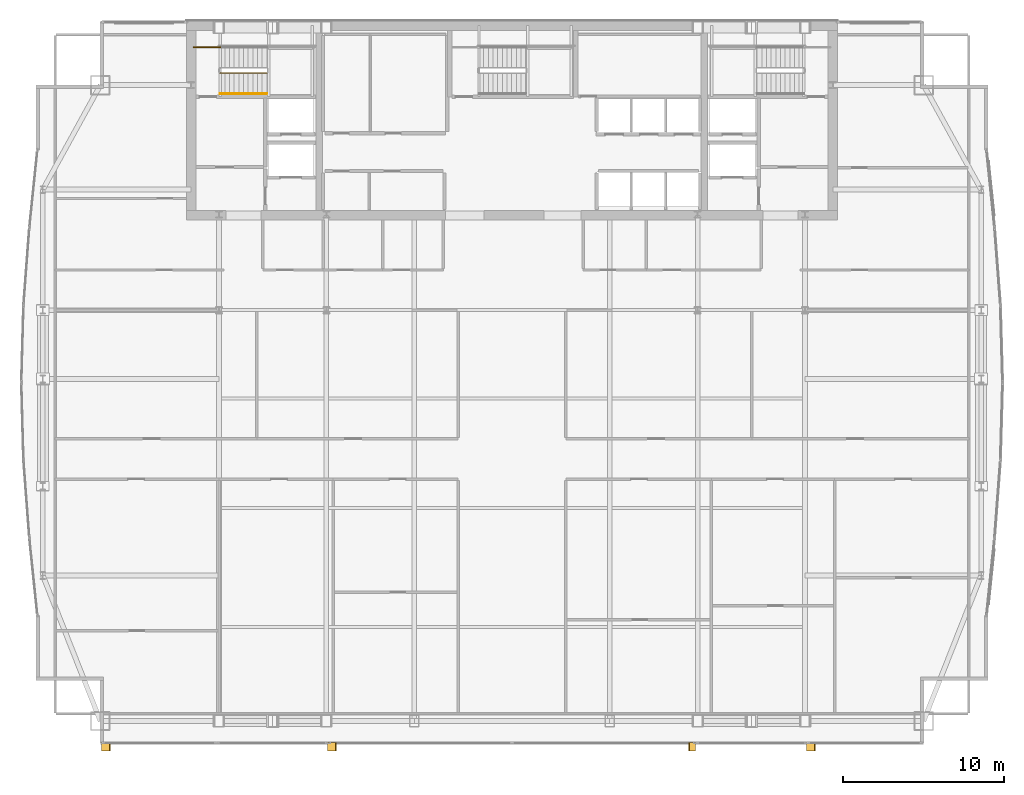
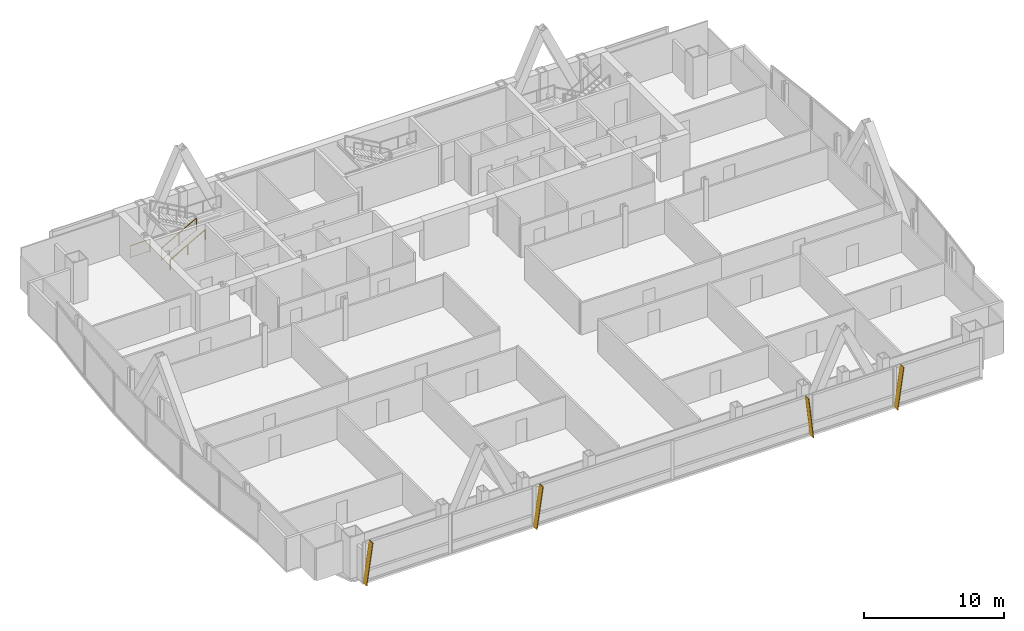
# One storey, part 31 of 32: 4 shading devices, 3 railings.
"""IFC4 building model written with IfcOpenShell, lengths in metres."""

import ifcopenshell
import ifcopenshell.guid

model = None  # the IFC model being written
_history = None  # IfcOwnerHistory: only IFC2X3 demands one
_inside = {}  # id of a spatial element -> (the spatial element, [elements in it])
_under = {}  # id of a project, library or spatial element -> (it, [spatial elements below it])
_declared = {}  # id of a project -> (the project, [libraries it declares])
_typed = {}  # id of a type object -> (the type object, [elements of that type])
_made_of = {}  # id of a material, layer set ... -> (it, [elements and type objects made of it])


def new_model(schema):
    """Start an empty IFC model of exactly this schema.

    Asked for "IFC4X3", IfcOpenShell would pick the latest addendum, in which some entities
    have other attributes; the version numbers below select the first issue.
    IFC2X3 requires an IfcOwnerHistory on every rooted entity: one is made here for all.
    """
    global model, _history
    if schema == "IFC4X3":
        model = ifcopenshell.file(schema_version=(4, 3, 0, 0))
    else:
        model = ifcopenshell.file(schema=schema)
    _inside.clear()
    _under.clear()
    _declared.clear()
    _typed.clear()
    _made_of.clear()
    _history = None
    if model.schema == "IFC2X3":
        org = make("IfcOrganization", Name="unknown")
        user = make(
            "IfcPersonAndOrganization",
            ThePerson=make("IfcPerson", FamilyName="unknown"),
            TheOrganization=org,
        )
        app = make(
            "IfcApplication",
            ApplicationDeveloper=org,
            Version="unknown",
            ApplicationFullName="unknown",
            ApplicationIdentifier="unknown",
        )
        _history = make(
            "IfcOwnerHistory",
            OwningUser=user,
            OwningApplication=app,
            ChangeAction="ADDED",
            CreationDate=0,
        )
    return model


def make(cls, **values):
    """One entity of the class cls with the attributes given. An attribute that is None is left unset."""
    return model.create_entity(
        cls, **{name: value for name, value in values.items() if value is not None}
    )


def rooted(cls, **values):
    """An entity with a GlobalId (a new one), such as an element, a storey or a relation."""
    return make(cls, GlobalId=ifcopenshell.guid.new(), OwnerHistory=_history, **values)


def si_unit(unit_type, name, prefix=None):
    """IfcSIUnit, for example si_unit("LENGTHUNIT", "METRE", prefix="MILLI")."""
    return make("IfcSIUnit", UnitType=unit_type, Prefix=prefix, Name=name)


def assignment(units):
    """IfcUnitAssignment: the units of a project."""
    return None if units is None else make("IfcUnitAssignment", Units=units)


def point(xyz):
    """IfcCartesianPoint."""
    return None if xyz is None else make("IfcCartesianPoint", Coordinates=xyz)


def direction(xyz):
    """IfcDirection."""
    return None if xyz is None else make("IfcDirection", DirectionRatios=xyz)


def frame(location, z_axis=None, x_axis=None):
    """IfcAxis2Placement3D, a coordinate frame: its origin and axes. An axis left out is left unset."""
    return make(
        "IfcAxis2Placement3D",
        Location=point(location),
        Axis=direction(z_axis),
        RefDirection=direction(x_axis),
    )


def frame_2d(location, x_axis=None):
    """IfcAxis2Placement2D, a coordinate frame in the plane: its origin and x axis."""
    return make(
        "IfcAxis2Placement2D", Location=point(location), RefDirection=direction(x_axis)
    )


def origin():
    """The frame at (0, 0, 0) with its axes left unset."""
    return frame((0.0, 0.0, 0.0))


def origin_2d():
    """The frame at (0, 0) in the plane with its x axis left unset."""
    return frame_2d((0.0, 0.0))


def place(relative_to, where):
    """IfcLocalPlacement: puts the frame where relative to a parent placement (None: the world)."""
    return make(
        "IfcLocalPlacement", PlacementRelTo=relative_to, RelativePlacement=where
    )


def context(
    kind, dimensions, precision=None, world=None, true_north=None, identifier=None
):
    """IfcGeometricRepresentationContext, for example the 3D "Model" context."""
    return make(
        "IfcGeometricRepresentationContext",
        ContextIdentifier=identifier,
        ContextType=kind,
        CoordinateSpaceDimension=dimensions,
        Precision=precision,
        WorldCoordinateSystem=world,
        TrueNorth=true_north,
    )


def subcontext(parent, identifier, kind, view, scale=None):
    """IfcGeometricRepresentationSubContext, for example "Body" below "Model"."""
    return make(
        "IfcGeometricRepresentationSubContext",
        ContextIdentifier=identifier,
        ContextType=kind,
        ParentContext=parent,
        TargetScale=scale,
        TargetView=view,
    )


def project(units=None, contexts=None):
    """IfcProject with its units and contexts."""
    return rooted(
        "IfcProject",
        Name="project",
        RepresentationContexts=contexts,
        UnitsInContext=assignment(units),
    )


def spatial(cls, under=None, at=None, **own):
    """A site, building, storey or space (cls), placed at a placement, below another one or the project."""
    s = rooted(cls, ObjectPlacement=at, **own)
    if under is not None:
        _under.setdefault(under.id(), (under, []))[1].append(s)
    return s


def polyline(points):
    """IfcPolyline through the points."""
    return make("IfcPolyline", Points=[point(p) for p in points])


def profile(cls, at=None, kind="AREA", **sizes):
    """A parametric profile (cls). Its sizes go by their IFC names, for example OverallWidth=200.0."""
    return make(cls, ProfileType=kind, Position=at, **sizes)


def rectangle(**sizes):
    """IfcRectangleProfileDef."""
    return profile("IfcRectangleProfileDef", **sizes)


def outline(outer, holes=None, kind="AREA"):
    """IfcArbitraryClosedProfileDef: a profile drawn as a closed curve; with holes, ...WithVoids."""
    if holes is None:
        return make("IfcArbitraryClosedProfileDef", ProfileType=kind, OuterCurve=outer)
    return make(
        "IfcArbitraryProfileDefWithVoids",
        ProfileType=kind,
        OuterCurve=outer,
        InnerCurves=holes,
    )


def extrude(swept, where, along, depth):
    """IfcExtrudedAreaSolid: the profile swept, set in the frame where, extruded along a direction by depth."""
    return make(
        "IfcExtrudedAreaSolid",
        SweptArea=swept,
        Position=where,
        ExtrudedDirection=direction(along),
        Depth=depth,
    )


def shape(context_of_items, identifier, shape_type, items):
    """IfcShapeRepresentation: the items that make up one representation, for example the "Body"."""
    return make(
        "IfcShapeRepresentation",
        ContextOfItems=context_of_items,
        RepresentationIdentifier=identifier,
        RepresentationType=shape_type,
        Items=items,
    )


def material(Name=None, Category=None):
    """IfcMaterial."""
    return make("IfcMaterial", Name=Name, Category=Category)


def layer(
    of_material, thickness, ventilated=None, Name=None, Category=None, Priority=None
):
    """IfcMaterialLayer: one layer of a wall or slab, of a material (None: an air gap)."""
    return make(
        "IfcMaterialLayer",
        Material=of_material,
        LayerThickness=thickness,
        IsVentilated=ventilated,
        Name=Name,
        Category=Category,
        Priority=Priority,
    )


def layer_set(layers, Name=None):
    """IfcMaterialLayerSet."""
    return make("IfcMaterialLayerSet", MaterialLayers=layers, LayerSetName=Name)


def made_of(thing, what):
    """Note that an element or type object is made of a material, layer set ...; save() writes the relation."""
    if what is not None:
        _made_of.setdefault(what.id(), (what, []))[1].append(thing)
    return thing


def type_object(cls, material=None, **own):
    """A type object (cls), such as IfcWallType, which elements share."""
    return made_of(rooted(cls, **own), material)


def element(
    cls,
    number,
    at=None,
    inside=None,
    cuts=None,
    type_object=None,
    material=None,
    context=None,
    identifier="Body",
    shape_type=None,
    held_by="IfcProductDefinitionShape",
    body=None,
    shapes=None,
    **own,
):
    """One element of the class cls, such as IfcWall. Its Tag is "e" and its number.

    at: its placement. inside: the storey or other place that contains it. cuts: it is an
    opening in that element (IfcRelVoidsElement). A single representation is given by context,
    identifier, shape_type and body (its items); several are given by shapes. held_by: the class
    of the entity that holds the representations. save() writes the other relations.
    """
    e = rooted(cls, Tag="e%d" % number, ObjectPlacement=at, **own)
    if body is not None:
        shapes = [shape(context, identifier, shape_type, body)]
    if shapes is not None:
        e.Representation = make(held_by, Representations=shapes)
    if inside is not None:
        _inside.setdefault(inside.id(), (inside, []))[1].append(e)
    if cuts is not None:
        rooted(
            "IfcRelVoidsElement", RelatingBuildingElement=cuts, RelatedOpeningElement=e
        )
    if type_object is not None:
        _typed.setdefault(type_object.id(), (type_object, []))[1].append(e)
    return made_of(e, material)


def aggregate(whole, parts):
    """IfcRelAggregates: a whole, such as a stair, and the parts it consists of."""
    return rooted("IfcRelAggregates", RelatingObject=whole, RelatedObjects=parts)


def save(model, path):
    """Write the relations noted so far, then the file.

    IfcRelAggregates (storeys below a building ...), IfcRelContainedInSpatialStructure (elements
    in a storey), IfcRelDefinesByType, IfcRelAssociatesMaterial and IfcRelDeclares: one each for
    every whole, place, type object, material and project.
    """
    for whole, parts in _under.values():
        aggregate(whole, parts)
    for where, things in _inside.values():
        rooted(
            "IfcRelContainedInSpatialStructure",
            RelatedElements=things,
            RelatingStructure=where,
        )
    for kind, things in _typed.values():
        rooted("IfcRelDefinesByType", RelatedObjects=things, RelatingType=kind)
    for what, things in _made_of.values():
        rooted("IfcRelAssociatesMaterial", RelatedObjects=things, RelatingMaterial=what)
    for by, libraries in _declared.values():
        rooted("IfcRelDeclares", RelatingContext=by, RelatedDefinitions=libraries)
    model.write(path)


model = new_model("IFC4")

# Units and contexts
model_context = context("Model", 3, precision=1e-05, world=origin(), true_north=direction((0.0, 1.0)))
body_context = subcontext(model_context, "Body", "Model", "MODEL_VIEW")
ifc_project = project(units=[si_unit("LENGTHUNIT", "METRE"), si_unit("AREAUNIT", "SQUARE_METRE"), si_unit("VOLUMEUNIT", "CUBIC_METRE"), si_unit("PLANEANGLEUNIT", "RADIAN"), si_unit("MASSUNIT", "GRAM", prefix="KILO")], contexts=[model_context])

# Site, building, storey
site_placement = place(None, origin())
site = spatial("IfcSite", under=ifc_project, at=site_placement, CompositionType="ELEMENT")
building_placement = place(site_placement, origin())
building = spatial("IfcBuilding", under=site, at=building_placement, Name="Khoronbel Lancet Exchange", CompositionType="ELEMENT")
storey_placement = place(building_placement, frame((0.0, 0.0, 231.800048828125)))
storey = spatial("IfcBuildingStorey", under=building, at=storey_placement, Name="L59", CompositionType="ELEMENT", Elevation=231.800048828125)

# Railings
ifc_material_1 = material(Name="Painted Steel Balustrade", Category="steel")
railing_type_1 = type_object("IfcRailingType", Name="RL-STG110", PredefinedType="GUARDRAIL", material=ifc_material_1)
railing_1_placement = place(storey_placement, frame((18.300048828125, 50.449951171875, 0.16357421875)))
element("IfcRailing", 1, at=railing_1_placement, inside=storey, type_object=railing_type_1, Name="L59 ST1 stair guard 1", PredefinedType="GUARDRAIL", context=body_context, shape_type="SweptSolid", body=[
    extrude(rectangle(XDim=0.048095703125, YDim=0.048095703125, at=origin_2d()), frame((0.0, 0.0, 1.09619140625), z_axis=(0.870897200241, 0.0, 0.491465224214), x_axis=(0.0, 1.0, 0.0)), (0.0, 0.0, 1.0), 3.329833984375),
    extrude(rectangle(XDim=0.02392578125, YDim=0.02392578125, at=origin_2d()), frame((0.0, 0.0, 0.080078125), z_axis=(0.870897200241, 0.0, 0.491465224214), x_axis=(0.0, 1.0, 0.0)), (0.0, 0.0, 1.0), 3.329833984375),
    extrude(rectangle(XDim=0.0419921875, YDim=0.0419921875, at=origin_2d()), origin(), (0.0, 0.0, 1.0), 1.072021484375),
    extrude(rectangle(XDim=0.0419921875, YDim=0.0419921875, at=origin_2d()), frame((1.449951171875, 0.0, 0.818359375)), (0.0, 0.0, 1.0), 1.072021484375),
    extrude(rectangle(XDim=0.0419921875, YDim=0.0419921875, at=origin_2d()), frame((2.89990234375, 0.0, 1.636474609375)), (0.0, 0.0, 1.0), 1.072021484375),
])
railing_2_placement = place(storey_placement, frame((16.64990234375, 52.050048828125, 0.0)))
element("IfcRailing", 2, at=railing_2_placement, inside=storey, type_object=railing_type_1, Name="L59 ST1 stair guard 6", PredefinedType="GUARDRAIL", context=body_context, shape_type="SweptSolid", body=[
    extrude(rectangle(XDim=0.048095703125, YDim=0.048095703125, at=origin_2d()), frame((0.0, 0.0, 1.09619140625), z_axis=(1.0, 0.0, 0.0), x_axis=(0.0, 1.0, 0.0)), (0.0, 0.0, 1.0), 1.650146484375),
    extrude(rectangle(XDim=0.02392578125, YDim=0.02392578125, at=origin_2d()), frame((0.0, 0.0, 0.080078125), z_axis=(1.0, 0.0, 0.0), x_axis=(0.0, 1.0, 0.0)), (0.0, 0.0, 1.0), 1.650146484375),
    extrude(rectangle(XDim=0.0419921875, YDim=0.0419921875, at=origin_2d()), origin(), (0.0, 0.0, 1.0), 1.072021484375),
    extrude(rectangle(XDim=0.0419921875, YDim=0.0419921875, at=origin_2d()), frame((1.650146484375, 0.0, 0.0)), (0.0, 0.0, 1.0), 1.072021484375),
])
ifc_material_2 = material(Name="Brushed Stainless Steel 316", Category="steel")
railing_type_2 = type_object("IfcRailingType", Name="RL-STH92", PredefinedType="HANDRAIL", material=ifc_material_2)
railing_3_placement = place(storey_placement, frame((18.300048828125, 49.169921875, 0.16357421875)))
element("IfcRailing", 3, at=railing_3_placement, inside=storey, type_object=railing_type_2, Name="L59 ST1 stair handrail 1", PredefinedType="HANDRAIL", context=body_context, shape_type="SweptSolid", body=[
    extrude(rectangle(XDim=0.048095703125, YDim=0.048095703125, at=origin_2d()), frame((0.0, 0.0, 0.8759765625), z_axis=(0.870897200241, 0.0, 0.491465224214), x_axis=(0.0, 1.0, 0.0)), (0.0, 0.0, 1.0), 3.329833984375),
    extrude(rectangle(XDim=0.0419921875, YDim=0.0419921875, at=origin_2d()), origin(), (0.0, 0.0, 1.0), 0.851806640625),
    extrude(rectangle(XDim=0.0419921875, YDim=0.0419921875, at=origin_2d()), frame((1.449951171875, 0.0, 0.818359375)), (0.0, 0.0, 1.0), 0.851806640625),
    extrude(rectangle(XDim=0.0419921875, YDim=0.0419921875, at=origin_2d()), frame((2.89990234375, 0.0, 1.636474609375)), (0.0, 0.0, 1.0), 0.851806640625),
])

# Shading devices
ifc_material_3 = material(Name="Bronze-Anodised Aluminium 6063-T6", Category="aluminium")
ifc_layer = layer(ifc_material_3, 0.054931640625, Name="Bronze-Anodised Aluminium 6063-T6")
ifc_layer_set = layer_set([ifc_layer], Name="Bronze-Anodised Aluminium 6063-T6")
shading_device_type = type_object("IfcShadingDeviceType", Name="SHD-FIN1", PredefinedType="USERDEFINED", material=ifc_layer_set)
for number, where, z_axis, x_axis, name in (
    (4, (10.91259765625, 8.81005859375, -0.080078125), (-0.990092925251, 0.0, 0.140413672296), (0.0, -1.0, 0.0), "Slanted bronze solar fin CW-L59-SWV-0"),
    (5, (24.972412109375, 8.81005859375, -0.080078125), (-0.990083483708, 0.0, 0.140480230955), (0.0, -1.0, 0.0), "Slanted bronze solar fin CW-L59-SCV-0"),
):
    element("IfcShadingDevice", number, at=place(storey_placement, frame(where, z_axis=z_axis, x_axis=x_axis)), inside=storey, type_object=shading_device_type, Name=name, ObjectType="FIN", PredefinedType="USERDEFINED", context=body_context, shape_type="SweptSolid", body=[
        extrude(outline(polyline([(0.0, 0.0), (0.52001953125, 0.0), (0.52001953125, 3.595703125), (0.0, 3.595703125), (0.0, 0.0)])), origin(), (0.0, 0.0, -1.0), 0.054931640625),
    ])
shading_device_1_placement = place(storey_placement, frame((47.87255859375, 8.81005859375, -0.080078125), z_axis=(0.993900347655, 0.0, 0.110281906632), x_axis=(0.0, -1.0, 0.0)))
element("IfcShadingDevice", 6, at=shading_device_1_placement, inside=storey, type_object=shading_device_type, Name="Slanted bronze solar fin CW-L59-SCV-2", ObjectType="FIN", PredefinedType="USERDEFINED", context=body_context, shape_type="SweptSolid", body=[
    extrude(outline(polyline([(0.0, 0.0), (0.52001953125, 0.0), (0.52001953125, -3.581787109375), (0.0, -3.581787109375), (0.0, 0.0)])), origin(), (0.0, 0.0, -1.0), 0.054931640625),
])
shading_device_2_placement = place(storey_placement, frame((54.7724609375, 8.81005859375, -0.080078125), z_axis=(-0.990083483708, 0.0, 0.140480230955), x_axis=(0.0, -1.0, 0.0)))
element("IfcShadingDevice", 7, at=shading_device_2_placement, inside=storey, type_object=shading_device_type, Name="Slanted bronze solar fin CW-L59-SEV-0", ObjectType="FIN", PredefinedType="USERDEFINED", context=body_context, shape_type="SweptSolid", body=[
    extrude(outline(polyline([(0.0, 0.0), (0.52001953125, 0.0), (0.52001953125, 3.595703125), (0.0, 3.595703125), (0.0, 0.0)])), origin(), (0.0, 0.0, -1.0), 0.054931640625),
])

save(model, "model.ifc")
